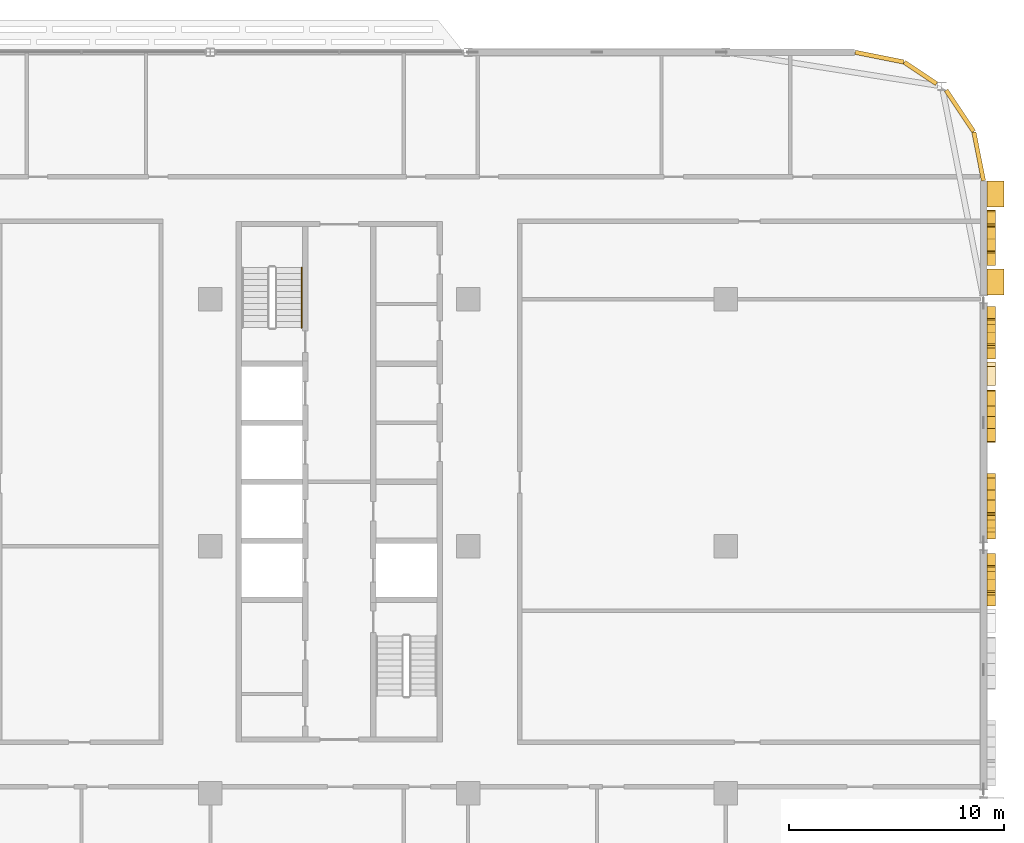
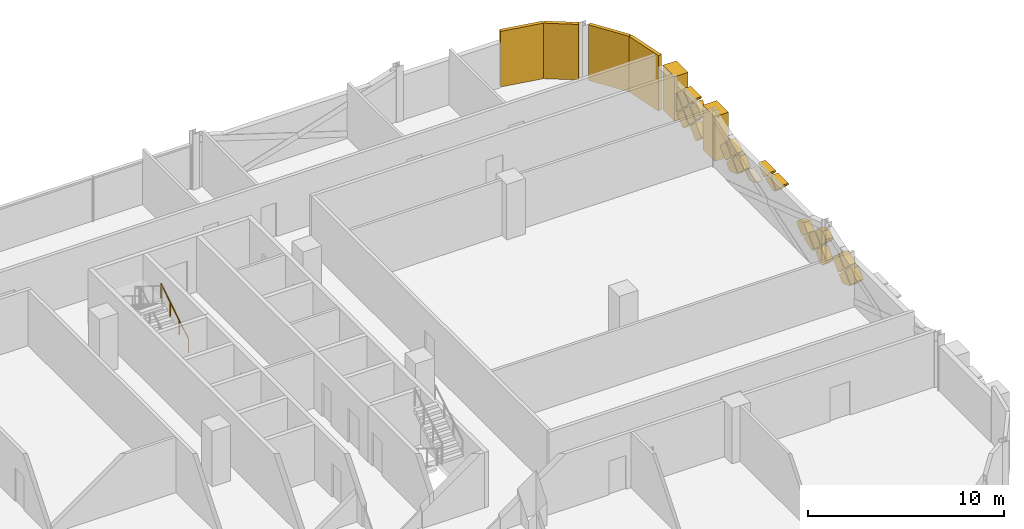
# One storey, part 30 of 30: 30 coverings, 1 railing.
"""IFC4 building model written with IfcOpenShell, lengths in metres."""

from ifc_helpers import new_model, si_unit, direction, frame, origin, origin_2d, place, context, subcontext, project, spatial, polyline, rectangle, circle, outline, extrude, material, layer, layer_set, type_object, element, save


model = new_model("IFC4")

# Units and contexts
model_context = context("Model", 3, precision=1e-05, world=origin(), true_north=direction((0.0, 1.0)))
body_context = subcontext(model_context, "Body", "Model", "MODEL_VIEW")
ifc_project = project(units=[si_unit("LENGTHUNIT", "METRE"), si_unit("AREAUNIT", "SQUARE_METRE"), si_unit("VOLUMEUNIT", "CUBIC_METRE"), si_unit("PLANEANGLEUNIT", "RADIAN"), si_unit("MASSUNIT", "GRAM", prefix="KILO")], contexts=[model_context])

# Site, building, storey
site_placement = place(None, origin())
site = spatial("IfcSite", under=ifc_project, at=site_placement, CompositionType="ELEMENT")
building_placement = place(site_placement, origin())
building = spatial("IfcBuilding", under=site, at=building_placement, Name="Mahtab Terrace Research Tower", CompositionType="ELEMENT")
storey_placement = place(building_placement, frame((0.0, 0.0, 201.5)))
storey = spatial("IfcBuildingStorey", under=building, at=storey_placement, Name="L48", CompositionType="ELEMENT", Elevation=201.5)

# Coverings
ifc_material_1 = material(Name="Black aluminium cladding panel", Category="aluminium")
ifc_layer_1 = layer(ifc_material_1, 0.199951171875)
ifc_layer_set_1 = layer_set([ifc_layer_1], Name="Black metal corner cladding 200")
covering_type_1 = type_object("IfcCoveringType", Name="Black metal corner cladding 200", PredefinedType="CLADDING", material=ifc_layer_set_1)
covering_1_placement = place(storey_placement, frame((52.89306640625, 20.26953125, 0.0), z_axis=(0.0, 0.0, 1.0), x_axis=(-0.555291490808, 0.831655794326, 0.0)))
element("IfcCovering", 1, at=covering_1_placement, inside=storey, type_object=covering_type_1, Name="Corner cladding L48 0", PredefinedType="CLADDING", context=body_context, shape_type="SweptSolid", body=[
    extrude(rectangle(XDim=2.30126953125, YDim=0.199951171875, at=origin_2d()), origin(), (0.0, 0.0, 1.0), 3.4599609375),
])
covering_2_placement = place(storey_placement, frame((51.059814453125, 22.032958984375, 0.0), z_axis=(0.0, 0.0, 1.0), x_axis=(-0.831655794326, 0.555291490808, 0.0)))
element("IfcCovering", 2, at=covering_2_placement, inside=storey, type_object=covering_type_1, Name="Corner cladding L48 1", PredefinedType="CLADDING", context=body_context, shape_type="SweptSolid", body=[
    extrude(rectangle(XDim=1.797119140625, YDim=0.199951171875, at=origin_2d()), origin(), (0.0, 0.0, 1.0), 3.4599609375),
])
for number, where, z_axis, x_axis, name in (
    (3, (49.14794921875, 22.771484375, 0.0), (0.0, 0.0, 1.0), (-0.980760981187, 0.195212442692, 0.0), "Corner cladding L48 2"),
    (4, (53.771484375, 18.14794921875, 0.0), (0.0, 0.0, 1.0), (-0.195212442692, 0.980760981187, 0.0), "Corner cladding L48 39"),
):
    element("IfcCovering", number, at=place(storey_placement, frame(where, z_axis=z_axis, x_axis=x_axis)), inside=storey, type_object=covering_type_1, Name=name, PredefinedType="CLADDING", context=body_context, shape_type="SweptSolid", body=[
        extrude(rectangle(XDim=2.30126953125, YDim=0.199951171875, at=origin_2d()), origin(), (0.0, 0.0, 1.0), 3.4599609375),
    ])
ifc_material_2 = material(Name="Bronze anodised aluminium", Category="aluminium")
ifc_layer_2 = layer(ifc_material_2, 0.39990234375)
ifc_layer_set_2 = layer_set([ifc_layer_2], Name="Mashrabiya relief panel 400")
covering_type_2 = type_object("IfcCoveringType", Name="Mashrabiya relief panel 400", PredefinedType="CLADDING", material=ifc_layer_set_2)
covering_3_placement = place(storey_placement, frame((54.14990234375, -1.6201171875, 1.300048828125), z_axis=(-1.0, 0.0, 0.0), x_axis=(0.0, -0.706957932274, -0.707255598772)))
element("IfcCovering", 5, at=covering_3_placement, inside=storey, type_object=covering_type_2, Name="Mashrabiya lattice cell L48 E36.10", PredefinedType="CLADDING", context=body_context, shape_type="SweptSolid", body=[
    extrude(outline(polyline([(0.0, 0.0), (0.8201817362875763, 0.0), (0.8200090664636573, 0.8203543334390104), (0.10444329638056088, 0.8200310862265561), (-0.0001616236062271792, 0.7678737531853363), (0.0, 0.0)])), origin(), (0.0, 0.0, -1.0), 0.39990234375),
])
covering_4_placement = place(storey_placement, frame((54.14990234375, -2.1298828125, 0.64990234375), z_axis=(-1.0, 0.0, 0.0), x_axis=(0.0, 0.706957932274, 0.707255598772)))
element("IfcCovering", 6, at=covering_4_placement, inside=storey, type_object=covering_type_2, Name="Mashrabiya lattice cell L48 E36.11", PredefinedType="CLADDING", context=body_context, shape_type="SweptSolid", body=[
    extrude(outline(polyline([(0.0, 0.0), (0.8201817362875763, 0.0), (0.8200090664636573, 0.8203543334390104), (0.3463027762791782, 0.8202546267898452), (-2.732485429020326e-05, 0.1298203827327727), (0.0, 0.0)])), origin(), (0.0, 0.0, -1.0), 0.39990234375),
])
covering_5_placement = place(storey_placement, frame((54.14990234375, -0.969970703125, 1.949951171875), z_axis=(-1.0, 0.0, 0.0), x_axis=(0.0, -0.707255598772, -0.706957932274)))
element("IfcCovering", 7, at=covering_5_placement, inside=storey, type_object=covering_type_2, Name="Mashrabiya lattice cell L48 E36.12", PredefinedType="CLADDING", context=body_context, shape_type="SweptSolid", body=[
    extrude(outline(polyline([(0.0, 0.0), (0.8201817362875763, 0.0), (0.8205055648799092, 0.7183279058859213), (6.43151490607452e-05, 0.3055612731875102), (0.0, 0.0)])), origin(), (0.0, 0.0, -1.0), 0.39990234375),
])
covering_6_placement = place(storey_placement, frame((54.14990234375, -0.89990234375, 0.719970703125), z_axis=(-1.0, 0.0, 0.0), x_axis=(0.0, -0.707106781187, 0.707106781187)))
element("IfcCovering", 8, at=covering_6_placement, inside=storey, type_object=covering_type_2, Name="Mashrabiya lattice cell L48 E36.13", PredefinedType="CLADDING", context=body_context, shape_type="SweptSolid", body=[
    extrude(outline(polyline([(0.0, 0.0), (0.8203543516109556, 0.0), (0.820181718119455, 0.820181718119455), (0.021233919454576533, 0.820181718119455), (0.0, 0.7989477986648784), (0.0, 0.0)])), origin(), (0.0, 0.0, -1.0), 0.39990234375),
])
covering_7_placement = place(storey_placement, frame((54.14990234375, 0.3349609375, 0.5849609375), z_axis=(-1.0, 0.0, 0.0), x_axis=(0.0, 0.0, 1.0)))
element("IfcCovering", 9, at=covering_7_placement, inside=storey, type_object=covering_type_2, Name="Mashrabiya lattice cell L48 E37.1", PredefinedType="CLADDING", context=body_context, shape_type="SweptSolid", body=[
    extrude(outline(polyline([(0.0, 0.0), (0.130126953125, 0.0), (0.64501953125, 0.51513671875), (0.06494140625, 1.094970703125), (-0.373046875, 0.656982421875), (-0.44287109375, 0.443115234375), (0.0, 0.0)])), origin(), (0.0, 0.0, -1.0), 0.39990234375),
])
covering_8_placement = place(storey_placement, frame((54.14990234375, 1.429931640625, 1.949951171875), z_axis=(-1.0, 0.0, 0.0), x_axis=(0.0, -0.707106781187, -0.707106781187)))
element("IfcCovering", 10, at=covering_8_placement, inside=storey, type_object=covering_type_2, Name="Mashrabiya lattice cell L48 E37.2", PredefinedType="CLADDING", context=body_context, shape_type="SweptSolid", body=[
    extrude(outline(polyline([(0.0, 0.0), (0.8200090846279543, 0.0), (0.820181718119455, 0.7283407006411241), (0.7283407006411241, 0.820181718119455), (0.26861771277496777, 0.8203543516109555), (-0.00017263349150062335, 0.2857084284335294), (0.0, 0.0)])), origin(), (0.0, 0.0, -1.0), 0.39990234375),
])
covering_9_placement = place(storey_placement, frame((54.14990234375, 1.5, 1.8798828125), z_axis=(-1.0, 0.0, 0.0), x_axis=(0.0, 0.707255598772, -0.706957932274)))
element("IfcCovering", 11, at=covering_9_placement, inside=storey, type_object=covering_type_2, Name="Mashrabiya lattice cell L48 E37.3", PredefinedType="CLADDING", context=body_context, shape_type="SweptSolid", body=[
    extrude(outline(polyline([(0.0, 0.0), (0.8201817362875763, 0.0), (0.8200090664636573, 0.8203543334390104), (-0.0003452669753531423, 0.8201816636150915), (0.0, 0.0)])), origin(), (0.0, 0.0, -1.0), 0.39990234375),
])
covering_10_placement = place(storey_placement, frame((54.14990234375, 1.570068359375, 0.64990234375), z_axis=(-1.0, 0.0, 0.0), x_axis=(0.0, 0.706957932274, 0.707255598772)))
element("IfcCovering", 12, at=covering_10_placement, inside=storey, type_object=covering_type_2, Name="Mashrabiya lattice cell L48 E37.4", PredefinedType="CLADDING", context=body_context, shape_type="SweptSolid", body=[
    extrude(outline(polyline([(0.0, 0.0), (0.8201817362875763, 0.0), (0.8200397342522491, 0.6746516698399944), (0.00011729339049040832, 0.26292083806764244), (0.0, 0.0)])), origin(), (0.0, 0.0, -1.0), 0.39990234375),
])
covering_11_placement = place(storey_placement, frame((54.14990234375, 2.219970703125, 1.300048828125), z_axis=(-1.0, 0.0, 0.0), x_axis=(0.0, 0.707106781187, 0.707106781187)))
element("IfcCovering", 13, at=covering_11_placement, inside=storey, type_object=covering_type_2, Name="Mashrabiya lattice cell L48 E37.5", PredefinedType="CLADDING", context=body_context, shape_type="SweptSolid", body=[
    extrude(outline(polyline([(0.0, 0.0), (0.5572609105640077, 0.0), (0.820181718119455, 0.5232521127383852), (0.820181718119455, 0.820181718119455), (0.18955157366768288, 0.8203543516109555), (0.0, 0.7254059312856135), (0.0, 0.0)])), origin(), (0.0, 0.0, -1.0), 0.39990234375),
])
covering_12_placement = place(storey_placement, frame((54.14990234375, 5.97998046875, 2.60009765625), z_axis=(-1.0, 0.0, 0.0), x_axis=(0.0, -0.707106781187, -0.707106781187)))
element("IfcCovering", 14, at=covering_12_placement, inside=storey, type_object=covering_type_2, Name="Mashrabiya lattice cell L48 E37.6", PredefinedType="CLADDING", context=body_context, shape_type="SweptSolid", body=[
    extrude(outline(polyline([(0.0, 0.0), (0.8203543516109556, 0.0), (0.820181718119455, 0.820181718119455), (0.753890457383216, 0.820181718119455), (0.0, 0.06629126073623884), (0.0, 0.0)])), origin(), (0.0, 0.0, -1.0), 0.39990234375),
])
covering_13_placement = place(storey_placement, frame((54.14990234375, 5.469970703125, 1.949951171875), z_axis=(-1.0, 0.0, 0.0), x_axis=(0.0, 0.707106781187, 0.707106781187)))
element("IfcCovering", 15, at=covering_13_placement, inside=storey, type_object=covering_type_2, Name="Mashrabiya lattice cell L48 E37.7", PredefinedType="CLADDING", context=body_context, shape_type="SweptSolid", body=[
    extrude(outline(polyline([(0.0, 0.0), (0.8203543516109556, 0.0), (0.820181718119455, 0.687253929663976), (0.08061984053079047, 0.31540138897163633), (0.00017263349150060947, 0.1541617079100554), (0.0, 0.0)])), origin(), (0.0, 0.0, -1.0), 0.39990234375),
])
covering_14_placement = place(storey_placement, frame((54.14990234375, 6.1201171875, 2.60009765625), z_axis=(-1.0, 0.0, 0.0), x_axis=(0.0, 0.707106781187, 0.707106781187)))
element("IfcCovering", 16, at=covering_14_placement, inside=storey, type_object=covering_type_2, Name="Mashrabiya lattice cell L48 E37.8", PredefinedType="CLADDING", context=body_context, shape_type="SweptSolid", body=[
    extrude(outline(polyline([(0.0, 0.0), (0.06629126073623884, 0.0), (0.8200090846279544, 0.7537178238917155), (0.820181718119455, 0.820181718119455), (0.16521025136609524, 0.820181718119455), (0.0, 0.7367997417246546), (0.0, 0.0)])), origin(), (0.0, 0.0, -1.0), 0.39990234375),
])
covering_15_placement = place(storey_placement, frame((54.14990234375, 7.488037109375, 1.23193359375), z_axis=(-1.0, 0.0, 0.0), x_axis=(0.0, 0.94953050897, 0.313674692213)))
element("IfcCovering", 17, at=covering_15_placement, inside=storey, type_object=covering_type_2, Name="Mashrabiya lattice cell L48 E37.9", PredefinedType="CLADDING", context=body_context, shape_type="SweptSolid", body=[
    extrude(outline(polyline([(0.0, 0.0), (0.918422635462074, 0.0), (1.0582922865602675, 0.2778681362954079), (0.6299250930926521, 0.4934940468119349), (0.020957161929252083, 0.041633960488213176), (0.0, 0.0)])), origin(), (0.0, 0.0, -1.0), 0.39990234375),
])
covering_16_placement = place(storey_placement, frame((54.14990234375, 9.8798828125, 1.300048828125), z_axis=(-1.0, 0.0, 0.0), x_axis=(0.0, -0.706957932274, -0.707255598772)))
element("IfcCovering", 18, at=covering_16_placement, inside=storey, type_object=covering_type_2, Name="Mashrabiya lattice cell L48 E37.10", PredefinedType="CLADDING", context=body_context, shape_type="SweptSolid", body=[
    extrude(outline(polyline([(0.0, 0.0), (0.8201817362875763, 0.0), (0.8200090664636573, 0.8203543334390104), (0.10444329638056088, 0.8200310862265561), (-0.0001616236062271792, 0.7678737531853363), (0.0, 0.0)])), origin(), (0.0, 0.0, -1.0), 0.39990234375),
])
covering_17_placement = place(storey_placement, frame((54.14990234375, 9.3701171875, 0.64990234375), z_axis=(-1.0, 0.0, 0.0), x_axis=(0.0, 0.706957932274, 0.707255598772)))
element("IfcCovering", 19, at=covering_17_placement, inside=storey, type_object=covering_type_2, Name="Mashrabiya lattice cell L48 E37.11", PredefinedType="CLADDING", context=body_context, shape_type="SweptSolid", body=[
    extrude(outline(polyline([(0.0, 0.0), (0.8201817362875763, 0.0), (0.8200090664636573, 0.8203543334390104), (0.3463027762791782, 0.8202546267898452), (-2.732485429020326e-05, 0.1298203827327727), (0.0, 0.0)])), origin(), (0.0, 0.0, -1.0), 0.39990234375),
])
covering_18_placement = place(storey_placement, frame((54.14990234375, 10.530029296875, 1.949951171875), z_axis=(-1.0, 0.0, 0.0), x_axis=(0.0, -0.707255598772, -0.706957932274)))
element("IfcCovering", 20, at=covering_18_placement, inside=storey, type_object=covering_type_2, Name="Mashrabiya lattice cell L48 E37.12", PredefinedType="CLADDING", context=body_context, shape_type="SweptSolid", body=[
    extrude(outline(polyline([(0.0, 0.0), (0.8201817362875763, 0.0), (0.8205055648799092, 0.7183279058859213), (6.43151490607452e-05, 0.3055612731875102), (0.0, 0.0)])), origin(), (0.0, 0.0, -1.0), 0.39990234375),
])
covering_19_placement = place(storey_placement, frame((54.14990234375, 10.60009765625, 0.719970703125), z_axis=(-1.0, 0.0, 0.0), x_axis=(0.0, -0.707106781187, 0.707106781187)))
element("IfcCovering", 21, at=covering_19_placement, inside=storey, type_object=covering_type_2, Name="Mashrabiya lattice cell L48 E37.13", PredefinedType="CLADDING", context=body_context, shape_type="SweptSolid", body=[
    extrude(outline(polyline([(0.0, 0.0), (0.8203543516109556, 0.0), (0.820181718119455, 0.820181718119455), (0.021233919454576533, 0.820181718119455), (0.0, 0.7989477986648784), (0.0, 0.0)])), origin(), (0.0, 0.0, -1.0), 0.39990234375),
])
covering_20_placement = place(storey_placement, frame((54.14990234375, 13.070068359375, 0.64990234375), z_axis=(-1.0, 0.0, 0.0), x_axis=(0.0, 0.706957932274, 0.707255598772)))
element("IfcCovering", 22, at=covering_20_placement, inside=storey, type_object=covering_type_2, Name="Mashrabiya lattice cell L48 E38.1", PredefinedType="CLADDING", context=body_context, shape_type="SweptSolid", body=[
    extrude(outline(polyline([(0.0, 0.0), (0.8201817362875763, 0.0), (0.8200090664636573, 0.8203543334390104), (0.09184101544392964, 0.8202010671685369), (-0.0001532662704735177, 0.7281680510197277), (0.0, 0.0)])), origin(), (0.0, 0.0, -1.0), 0.39990234375),
])
covering_21_placement = place(storey_placement, frame((54.14990234375, 13.64990234375, 2.530029296875), z_axis=(-1.0, 0.0, 0.0), x_axis=(0.0, 0.707106781187, -0.707106781187)))
element("IfcCovering", 23, at=covering_21_placement, inside=storey, type_object=covering_type_2, Name="Mashrabiya lattice cell L48 E38.2", PredefinedType="CLADDING", context=body_context, shape_type="SweptSolid", body=[
    extrude(outline(polyline([(0.0, 0.0), (0.8203543516109556, 0.0), (0.820181718119455, 0.820181718119455), (0.0001726334915006511, 0.820181718119455), (0.0, 0.0)])), origin(), (0.0, 0.0, -1.0), 0.39990234375),
])
covering_22_placement = place(storey_placement, frame((54.14990234375, 14.300048828125, 1.8798828125), z_axis=(-1.0, 0.0, 0.0), x_axis=(0.0, 0.707106781187, -0.707106781187)))
element("IfcCovering", 24, at=covering_22_placement, inside=storey, type_object=covering_type_2, Name="Mashrabiya lattice cell L48 E38.3", PredefinedType="CLADDING", context=body_context, shape_type="SweptSolid", body=[
    extrude(outline(polyline([(0.0, 0.0), (0.8200090846279543, 0.0), (0.820181718119455, 0.820181718119455), (-0.0001726334915006511, 0.820181718119455), (0.0, 0.0)])), origin(), (0.0, 0.0, -1.0), 0.39990234375),
])
covering_23_placement = place(storey_placement, frame((54.14990234375, 14.8798828125, 2.60009765625), z_axis=(-1.0, 0.0, 0.0), x_axis=(0.0, -0.706957932274, -0.707255598772)))
element("IfcCovering", 25, at=covering_23_placement, inside=storey, type_object=covering_type_2, Name="Mashrabiya lattice cell L48 E38.4", PredefinedType="CLADDING", context=body_context, shape_type="SweptSolid", body=[
    extrude(outline(polyline([(0.0, 0.0), (0.8201817362875763, 0.0), (0.8200090664636573, 0.8203543334390104), (0.7535452100444244, 0.8201677104980072), (-1.3953117084360145e-05, 0.06629125926779883), (0.0, 0.0)])), origin(), (0.0, 0.0, -1.0), 0.39990234375),
])
covering_24_placement = place(storey_placement, frame((54.14990234375, 14.3701171875, 0.64990234375), z_axis=(-1.0, 0.0, 0.0), x_axis=(0.0, 0.706957932274, 0.707255598772)))
element("IfcCovering", 26, at=covering_24_placement, inside=storey, type_object=covering_type_2, Name="Mashrabiya lattice cell L48 E38.5", PredefinedType="CLADDING", context=body_context, shape_type="SweptSolid", body=[
    extrude(outline(polyline([(0.0, 0.0), (0.8201817362875763, 0.0), (0.8200090664636573, 0.8203543334390104), (0.0916684182924955, 0.820028397344618), (-0.0001532662704735177, 0.7281680510197277), (0.0, 0.0)])), origin(), (0.0, 0.0, -1.0), 0.39990234375),
])
covering_25_placement = place(storey_placement, frame((54.14990234375, 14.949951171875, 2.530029296875), z_axis=(-1.0, 0.0, 0.0), x_axis=(0.0, 0.707106781187, -0.707106781187)))
element("IfcCovering", 27, at=covering_25_placement, inside=storey, type_object=covering_type_2, Name="Mashrabiya lattice cell L48 E38.6", PredefinedType="CLADDING", context=body_context, shape_type="SweptSolid", body=[
    extrude(outline(polyline([(0.0, 0.0), (0.8203543516109556, 0.0), (0.820181718119455, 0.820181718119455), (0.0001726334915006511, 0.820181718119455), (0.0, 0.0)])), origin(), (0.0, 0.0, -1.0), 0.39990234375),
])
covering_26_placement = place(storey_placement, frame((54.14990234375, 15.60009765625, 0.719970703125), z_axis=(-1.0, 0.0, 0.0), x_axis=(0.0, -0.707106781187, 0.707106781187)))
element("IfcCovering", 28, at=covering_26_placement, inside=storey, type_object=covering_type_2, Name="Mashrabiya lattice cell L48 E38.7", PredefinedType="CLADDING", context=body_context, shape_type="SweptSolid", body=[
    extrude(outline(polyline([(0.0, 0.0), (0.8203543516109556, 0.0), (0.820181718119455, 0.820181718119455), (0.7283407006411241, 0.820181718119455), (0.0, 0.09184101747833089), (0.0, 0.0)])), origin(), (0.0, 0.0, -1.0), 0.39990234375),
])
ifc_material_3 = material(Name="Glazed ceramic tile cladding", Category="masonry")
ifc_layer_3 = layer(ifc_material_3, 0.800048828125)
ifc_layer_set_3 = layer_set([ifc_layer_3], Name="Pishtaq frame pier 800")
covering_type_3 = type_object("IfcCoveringType", Name="Pishtaq frame pier 800", PredefinedType="CLADDING", material=ifc_layer_set_3)
for number, where, z_axis, x_axis, name in (
    (29, (54.550048828125, 12.300048828125, 0.0), (0.0, 0.0, 1.0), (0.0, 1.0, 0.0), "Pishtaq frame pier 38a"),
    (30, (54.550048828125, 16.39990234375, 0.0), (0.0, 0.0, 1.0), (0.0, 1.0, 0.0), "Pishtaq frame pier 38b"),
):
    element("IfcCovering", number, at=place(storey_placement, frame(where, z_axis=z_axis, x_axis=x_axis)), inside=storey, type_object=covering_type_3, Name=name, PredefinedType="CLADDING", context=body_context, shape_type="SweptSolid", body=[
        extrude(rectangle(XDim=1.199951171875, YDim=0.800048828125, at=origin_2d()), origin(), (0.0, 0.0, 1.0), 2.781982421875),
    ])

# Railing
ifc_material_4 = material(Name="Stainless steel AISI 304", Category="steel")
railing_type = type_object("IfcRailingType", Name="Stair handrail 900", PredefinedType="HANDRAIL", material=ifc_material_4)
railing_placement = place(storey_placement, frame((22.25, 10.175048828125, 0.172607421875)))
element("IfcRailing", 31, at=railing_placement, inside=storey, type_object=railing_type, Name="L48 ST3 stair handrail 1", PredefinedType="HANDRAIL", context=body_context, shape_type="SweptSolid", body=[
    extrude(circle(Radius=0.02392578125, at=origin_2d()), frame((0.0, 0.0, 0.8759765625), z_axis=(0.0, 0.851089632645, 0.525020415988), x_axis=(-1.0, 0.0, 0.0)), (0.0, 0.0, 1.0), 3.2900390625),
    extrude(circle(Radius=0.02099609375, at=origin_2d()), origin(), (0.0, 0.0, 1.0), 0.851806640625),
    extrude(circle(Radius=0.02099609375, at=origin_2d()), frame((0.0, 0.933349609375, 0.57568359375)), (0.0, 0.0, 1.0), 0.851806640625),
    extrude(circle(Radius=0.02099609375, at=origin_2d()), frame((0.0, 1.86669921875, 1.151611328125)), (0.0, 0.0, 1.0), 0.851806640625),
    extrude(circle(Radius=0.02099609375, at=origin_2d()), frame((0.0, 2.800048828125, 1.727294921875)), (0.0, 0.0, 1.0), 0.851806640625),
])

save(model, "model.ifc")
